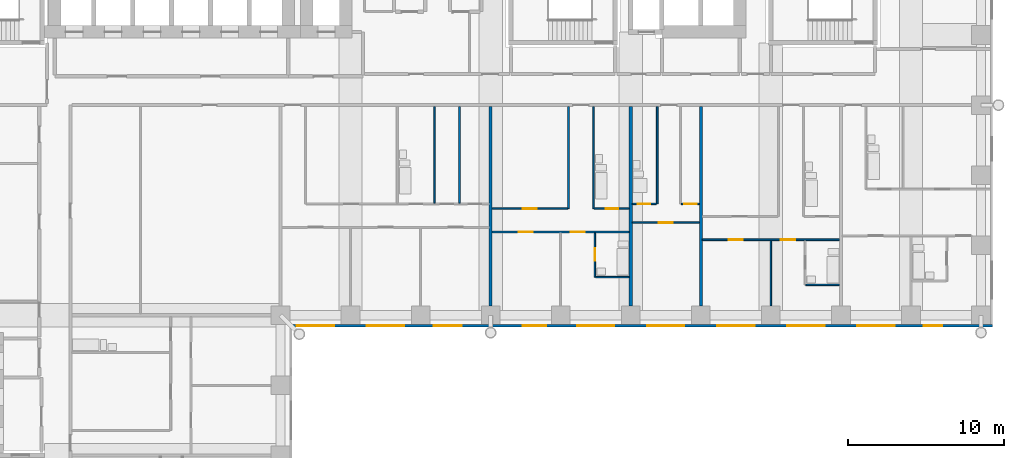
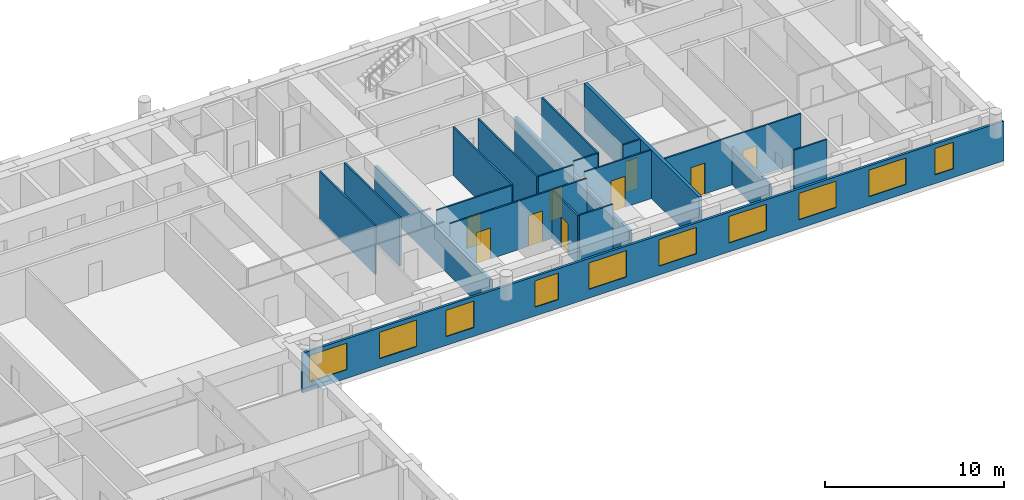
# One storey, part 8 of 14: 20 walls, 10 doors, 10 windows, 20 openings.
"""IFC4 building model written with IfcOpenShell, lengths in metres."""

from ifc_helpers import new_model, si_unit, direction, frame, frame_2d, origin, place, context, subcontext, project, spatial, rectangle, extrude, material, layer, layer_set, type_object, element, fill, save


model = new_model("IFC4")

# Units and contexts
model_context = context("Model", 3, precision=1e-05, world=origin(), true_north=direction((0.0, 1.0)))
body_context = subcontext(model_context, "Body", "Model", "MODEL_VIEW")
ifc_project = project(units=[si_unit("LENGTHUNIT", "METRE"), si_unit("AREAUNIT", "SQUARE_METRE"), si_unit("VOLUMEUNIT", "CUBIC_METRE"), si_unit("PLANEANGLEUNIT", "RADIAN"), si_unit("MASSUNIT", "GRAM", prefix="KILO")], contexts=[model_context])

# Site, building, storey
site_placement = place(None, origin())
site = spatial("IfcSite", under=ifc_project, at=site_placement, CompositionType="ELEMENT")
building_placement = place(site_placement, origin())
building = spatial("IfcBuilding", under=site, at=building_placement, Name="Firuza Court", CompositionType="ELEMENT")
storey_placement = place(building_placement, frame((0.0, 0.0, 68.60009765625)))
storey = spatial("IfcBuildingStorey", under=building, at=storey_placement, Name="L16", CompositionType="ELEMENT", Elevation=68.60009765625)

# Wall
ifc_material_1 = material(Name="Moisture-resistant gypsum board partition")
ifc_layer_1 = layer(ifc_material_1, 0.10009765625)
ifc_layer_set_1 = layer_set([ifc_layer_1], Name="Moisture-resistant gypsum board partition")
wall_type_1 = type_object("IfcWallType", Name="Bathroom partition 100", PredefinedType="PLUMBINGWALL", material=ifc_layer_set_1)
wall_1_placement = place(storey_placement, frame((56.25, 37.949951171875, 0.0), z_axis=(0.0, 0.0, 1.0), x_axis=(1.0, 0.0, 0.0)))
element("IfcWall", 1, at=wall_1_placement, inside=storey, type_object=wall_type_1, Name="Bathroom partition 100 L16", PredefinedType="PLUMBINGWALL", context=body_context, shape_type="SweptSolid", body=[
    extrude(rectangle(XDim=2.14990234375, YDim=0.10009765625, at=frame_2d((1.074951171875, 0.0))), origin(), (0.0, 0.0, 1.0), 3.2998046875),
])

# Wall, opening, door
wall_2_placement = place(storey_placement, frame((42.699951171875, 38.449951171875, 0.0), z_axis=(0.0, 0.0, 1.0), x_axis=(0.0, 1.0, 0.0)))
wall_2 = element("IfcWall", 2, at=wall_2_placement, inside=storey, type_object=wall_type_1, Name="Bathroom partition 100 L16", PredefinedType="PLUMBINGWALL", context=body_context, shape_type="SweptSolid", body=[
    extrude(rectangle(XDim=2.85009765625, YDim=0.10009765625, at=frame_2d((1.425048828125, 0.0))), origin(), (0.0, 0.0, 1.0), 3.2998046875),
])
opening_1_placement = place(wall_2_placement, frame((1.050048828125, 0.0, 0.0)))
opening_1 = element("IfcOpeningElement", 3, at=opening_1_placement, cuts=wall_2, Name="Opening D16046", PredefinedType="OPENING", context=body_context, shape_type="SweptSolid", body=[
    extrude(rectangle(XDim=0.800048828125, YDim=2.10009765625, at=frame_2d((0.39990234375, 1.050048828125))), frame((0.0, 0.06201171875, 0.0), z_axis=(0.0, -1.0, 0.0), x_axis=(1.0, 0.0, 0.0)), (0.0, 0.0, 1.0), 0.1240234375),
])
ifc_material_2 = material(Name="Timber door leaf in hardwood frame", Category="wood")
door_type_1 = type_object("IfcDoorType", Name="Bathroom door 800", OperationType="SINGLE_SWING_LEFT", PredefinedType="DOOR", material=ifc_material_2)
door_1_placement = place(opening_1_placement, frame((0.800048828125, 0.0, 0.0), z_axis=(0.0, 0.0, 1.0), x_axis=(-1.0, 0.0, 0.0)))
door_1 = element("IfcDoor", 4, at=door_1_placement, inside=storey, type_object=door_type_1, Name="En-suite door", OperationType="SINGLE_SWING_RIGHT", OverallHeight=2.10009765625, OverallWidth=0.800048828125, PredefinedType="DOOR", context=body_context, shape_type="SweptSolid", body=[
    extrude(rectangle(XDim=0.800048828125, YDim=2.10009765625, at=frame_2d((0.39990234375, 1.050048828125))), frame((0.0, 0.02490234375, 0.0), z_axis=(0.0, -1.0, 0.0), x_axis=(1.0, 0.0, 0.0)), (0.0, 0.0, 1.0), 0.050048828125),
])
fill(opening_1, door_1)

# Walls
wall_3_placement = place(storey_placement, frame((42.75, 38.449951171875, 0.0), z_axis=(0.0, 0.0, 1.0), x_axis=(1.0, 0.0, 0.0)))
element("IfcWall", 5, at=wall_3_placement, inside=storey, type_object=wall_type_1, Name="Bathroom partition 100 L16", PredefinedType="PLUMBINGWALL", context=body_context, shape_type="SweptSolid", body=[
    extrude(rectangle(XDim=2.14990234375, YDim=0.10009765625, at=frame_2d((1.074951171875, 0.0))), origin(), (0.0, 0.0, 1.0), 3.2998046875),
])
wall_4_placement = place(storey_placement, frame((42.60009765625, 42.85009765625, 0.0), z_axis=(0.0, 0.0, 1.0), x_axis=(0.0, 1.0, 0.0)))
element("IfcWall", 6, at=wall_4_placement, inside=storey, type_object=wall_type_1, Name="Bathroom partition 100 L16", PredefinedType="PLUMBINGWALL", context=body_context, shape_type="SweptSolid", body=[
    extrude(rectangle(XDim=6.5498046875, YDim=0.10009765625, at=frame_2d((3.27490234375, 0.0))), origin(), (0.0, 0.0, 1.0), 3.2998046875),
])
wall_5_placement = place(storey_placement, frame((46.699951171875, 43.14990234375, 0.0), z_axis=(0.0, 0.0, 1.0), x_axis=(0.0, 1.0, 0.0)))
element("IfcWall", 7, at=wall_5_placement, inside=storey, type_object=wall_type_1, Name="Bathroom partition 100 L16", PredefinedType="PLUMBINGWALL", context=body_context, shape_type="SweptSolid", body=[
    extrude(rectangle(XDim=6.25, YDim=0.10009765625, at=frame_2d((3.125, 0.0))), origin(), (0.0, 0.0, 1.0), 3.2998046875),
])
wall_6_placement = place(storey_placement, frame((32.39990234375, 43.199951171875, 0.0), z_axis=(0.0, 0.0, 1.0), x_axis=(0.0, 1.0, 0.0)))
element("IfcWall", 8, at=wall_6_placement, inside=storey, type_object=wall_type_1, Name="Bathroom partition 100 L16", PredefinedType="PLUMBINGWALL", context=body_context, shape_type="SweptSolid", body=[
    extrude(rectangle(XDim=6.199951171875, YDim=0.10009765625, at=frame_2d((3.10009765625, 0.0))), origin(), (0.0, 0.0, 1.0), 3.2998046875),
])
ifc_material_3 = material(Name="Timber stud partition, plasterboard both sides", Category="wood")
ifc_layer_2 = layer(ifc_material_3, 0.10009765625)
ifc_layer_set_2 = layer_set([ifc_layer_2], Name="Timber stud partition, plasterboard both sides")
wall_type_2 = type_object("IfcWallType", Name="Partition wall 100", PredefinedType="PARTITIONING", material=ifc_layer_set_2)
wall_7_placement = place(storey_placement, frame((54.0, 36.60009765625, 0.0), z_axis=(0.0, 0.0, 1.0), x_axis=(0.0, 1.0, 0.0)))
element("IfcWall", 9, at=wall_7_placement, inside=storey, type_object=wall_type_2, Name="Partition wall 100 L16", PredefinedType="PARTITIONING", context=body_context, shape_type="SweptSolid", body=[
    extrude(rectangle(XDim=4.199951171875, YDim=0.10009765625, at=frame_2d((2.10009765625, 0.0))), origin(), (0.0, 0.0, 1.0), 2.599853515625),
])

# Wall, openings, doors
wall_8_placement = place(storey_placement, frame((49.60009765625, 40.85009765625, 0.0), z_axis=(0.0, 0.0, 1.0), x_axis=(1.0, 0.0, 0.0)))
wall_8 = element("IfcWall", 10, at=wall_8_placement, inside=storey, type_object=wall_type_2, Name="Partition wall 100 L16", PredefinedType="PARTITIONING", context=body_context, shape_type="SweptSolid", body=[
    extrude(rectangle(XDim=8.7998046875, YDim=0.10009765625, at=frame_2d((4.39990234375, 0.0))), origin(), (0.0, 0.0, 1.0), 3.2998046875),
])
opening_2_placement = place(wall_8_placement, frame((1.699951171875, 0.0, 0.0)))
opening_2 = element("IfcOpeningElement", 11, at=opening_2_placement, cuts=wall_8, Name="Opening D16047", PredefinedType="OPENING", context=body_context, shape_type="SweptSolid", body=[
    extrude(rectangle(XDim=0.89990234375, YDim=2.10009765625, at=frame_2d((0.449951171875, 1.050048828125))), frame((0.0, 0.06201171875, 0.0), z_axis=(0.0, -1.0, 0.0), x_axis=(1.0, 0.0, 0.0)), (0.0, 0.0, 1.0), 0.1240234375),
])
opening_3_placement = place(wall_8_placement, frame((5.050048828125, 0.0, 0.0)))
opening_3 = element("IfcOpeningElement", 12, at=opening_3_placement, cuts=wall_8, Name="Opening D16048", PredefinedType="OPENING", context=body_context, shape_type="SweptSolid", body=[
    extrude(rectangle(XDim=0.89990234375, YDim=2.10009765625, at=frame_2d((0.449951171875, 1.050048828125))), frame((0.0, 0.06201171875, 0.0), z_axis=(0.0, -1.0, 0.0), x_axis=(1.0, 0.0, 0.0)), (0.0, 0.0, 1.0), 0.1240234375),
])
ifc_material_4 = material(Name="Timber door leaf in hardwood frame", Category="wood")
door_type_2 = type_object("IfcDoorType", Name="Room door 900", OperationType="SINGLE_SWING_LEFT", PredefinedType="DOOR", material=ifc_material_4)
door_2_placement = place(opening_2_placement, frame((0.89990234375, 0.0, 0.0), z_axis=(0.0, 0.0, 1.0), x_axis=(-1.0, 0.0, 0.0)))
door_2 = element("IfcDoor", 13, at=door_2_placement, inside=storey, type_object=door_type_2, Name="Living room door", OperationType="SINGLE_SWING_RIGHT", OverallHeight=2.10009765625, OverallWidth=0.89990234375, PredefinedType="DOOR", context=body_context, shape_type="SweptSolid", body=[
    extrude(rectangle(XDim=0.89990234375, YDim=2.10009765625, at=frame_2d((0.449951171875, 1.050048828125))), frame((0.0, 0.02490234375, 0.0), z_axis=(0.0, -1.0, 0.0), x_axis=(1.0, 0.0, 0.0)), (0.0, 0.0, 1.0), 0.050048828125),
])
fill(opening_2, door_2)
door_3_placement = place(opening_3_placement, frame((0.89990234375, 0.0, 0.0), z_axis=(0.0, 0.0, 1.0), x_axis=(-1.0, 0.0, 0.0)))
door_3 = element("IfcDoor", 14, at=door_3_placement, inside=storey, type_object=door_type_2, Name="Bedroom door", OperationType="SINGLE_SWING_RIGHT", OverallHeight=2.10009765625, OverallWidth=0.89990234375, PredefinedType="DOOR", context=body_context, shape_type="SweptSolid", body=[
    extrude(rectangle(XDim=0.89990234375, YDim=2.10009765625, at=frame_2d((0.449951171875, 1.050048828125))), frame((0.0, 0.02490234375, 0.0), z_axis=(0.0, -1.0, 0.0), x_axis=(1.0, 0.0, 0.0)), (0.0, 0.0, 1.0), 0.050048828125),
])
fill(opening_3, door_3)

wall_9_placement = place(storey_placement, frame((36.10009765625, 41.35009765625, 0.0), z_axis=(0.0, 0.0, 1.0), x_axis=(1.0, 0.0, 0.0)))
wall_9 = element("IfcWall", 15, at=wall_9_placement, inside=storey, type_object=wall_type_2, Name="Partition wall 100 L16", PredefinedType="PARTITIONING", context=body_context, shape_type="SweptSolid", body=[
    extrude(rectangle(XDim=8.7998046875, YDim=0.10009765625, at=frame_2d((4.39990234375, 0.0))), origin(), (0.0, 0.0, 1.0), 3.2998046875),
])
opening_4_placement = place(wall_9_placement, frame((1.699951171875, 0.0, 0.0)))
opening_4 = element("IfcOpeningElement", 16, at=opening_4_placement, cuts=wall_9, Name="Opening D16051", PredefinedType="OPENING", context=body_context, shape_type="SweptSolid", body=[
    extrude(rectangle(XDim=0.89990234375, YDim=2.10009765625, at=frame_2d((0.449951171875, 1.050048828125))), frame((0.0, 0.06201171875, 0.0), z_axis=(0.0, -1.0, 0.0), x_axis=(1.0, 0.0, 0.0)), (0.0, 0.0, 1.0), 0.1240234375),
])
opening_5_placement = place(wall_9_placement, frame((5.050048828125, 0.0, 0.0)))
opening_5 = element("IfcOpeningElement", 17, at=opening_5_placement, cuts=wall_9, Name="Opening D16052", PredefinedType="OPENING", context=body_context, shape_type="SweptSolid", body=[
    extrude(rectangle(XDim=0.89990234375, YDim=2.10009765625, at=frame_2d((0.449951171875, 1.050048828125))), frame((0.0, 0.06201171875, 0.0), z_axis=(0.0, -1.0, 0.0), x_axis=(1.0, 0.0, 0.0)), (0.0, 0.0, 1.0), 0.1240234375),
])
door_4_placement = place(opening_4_placement, frame((0.89990234375, 0.0, 0.0), z_axis=(0.0, 0.0, 1.0), x_axis=(-1.0, 0.0, 0.0)))
door_4 = element("IfcDoor", 18, at=door_4_placement, inside=storey, type_object=door_type_2, Name="Living room door", OperationType="SINGLE_SWING_RIGHT", OverallHeight=2.10009765625, OverallWidth=0.89990234375, PredefinedType="DOOR", context=body_context, shape_type="SweptSolid", body=[
    extrude(rectangle(XDim=0.89990234375, YDim=2.10009765625, at=frame_2d((0.449951171875, 1.050048828125))), frame((0.0, 0.02490234375, 0.0), z_axis=(0.0, -1.0, 0.0), x_axis=(1.0, 0.0, 0.0)), (0.0, 0.0, 1.0), 0.050048828125),
])
fill(opening_4, door_4)
door_5_placement = place(opening_5_placement, frame((0.89990234375, 0.0, 0.0), z_axis=(0.0, 0.0, 1.0), x_axis=(-1.0, 0.0, 0.0)))
door_5 = element("IfcDoor", 19, at=door_5_placement, inside=storey, type_object=door_type_2, Name="Bedroom door", OperationType="SINGLE_SWING_RIGHT", OverallHeight=2.10009765625, OverallWidth=0.89990234375, PredefinedType="DOOR", context=body_context, shape_type="SweptSolid", body=[
    extrude(rectangle(XDim=0.89990234375, YDim=2.10009765625, at=frame_2d((0.449951171875, 1.050048828125))), frame((0.0, 0.02490234375, 0.0), z_axis=(0.0, -1.0, 0.0), x_axis=(1.0, 0.0, 0.0)), (0.0, 0.0, 1.0), 0.050048828125),
])
fill(opening_5, door_5)

# Wall, opening, door
wall_10_placement = place(storey_placement, frame((45.10009765625, 41.949951171875, 0.0), z_axis=(0.0, 0.0, 1.0), x_axis=(1.0, 0.0, 0.0)))
wall_10 = element("IfcWall", 20, at=wall_10_placement, inside=storey, type_object=wall_type_2, Name="Partition wall 100 L16", PredefinedType="PARTITIONING", context=body_context, shape_type="SweptSolid", body=[
    extrude(rectangle(XDim=4.2998046875, YDim=0.10009765625, at=frame_2d((2.14990234375, 0.0))), origin(), (0.0, 0.0, 1.0), 3.2998046875),
])
opening_6_placement = place(wall_10_placement, frame((1.699951171875, 0.0, 0.0)))
opening_6 = element("IfcOpeningElement", 21, at=opening_6_placement, cuts=wall_10, Name="Opening D16056", PredefinedType="OPENING", context=body_context, shape_type="SweptSolid", body=[
    extrude(rectangle(XDim=0.89990234375, YDim=2.10009765625, at=frame_2d((0.449951171875, 1.050048828125))), frame((0.0, 0.06201171875, 0.0), z_axis=(0.0, -1.0, 0.0), x_axis=(1.0, 0.0, 0.0)), (0.0, 0.0, 1.0), 0.1240234375),
])
door_6_placement = place(opening_6_placement, frame((0.89990234375, 0.0, 0.0), z_axis=(0.0, 0.0, 1.0), x_axis=(-1.0, 0.0, 0.0)))
door_6 = element("IfcDoor", 22, at=door_6_placement, inside=storey, type_object=door_type_2, Name="Studio room door", OperationType="SINGLE_SWING_RIGHT", OverallHeight=2.10009765625, OverallWidth=0.89990234375, PredefinedType="DOOR", context=body_context, shape_type="SweptSolid", body=[
    extrude(rectangle(XDim=0.89990234375, YDim=2.10009765625, at=frame_2d((0.449951171875, 1.050048828125))), frame((0.0, 0.02490234375, 0.0), z_axis=(0.0, -1.0, 0.0), x_axis=(1.0, 0.0, 0.0)), (0.0, 0.0, 1.0), 0.050048828125),
])
fill(opening_6, door_6)

wall_11_placement = place(storey_placement, frame((36.10009765625, 42.85009765625, 0.0), z_axis=(0.0, 0.0, 1.0), x_axis=(1.0, 0.0, 0.0)))
wall_11 = element("IfcWall", 23, at=wall_11_placement, inside=storey, type_object=wall_type_2, Name="Partition wall 100 L16", PredefinedType="PARTITIONING", context=body_context, shape_type="SweptSolid", body=[
    extrude(rectangle(XDim=4.849853515625, YDim=0.10009765625, at=frame_2d((2.4248046875, 0.0))), origin(), (0.0, 0.0, 1.0), 3.2998046875),
])
opening_7_placement = place(wall_11_placement, frame((1.949951171875, 0.0, 0.0)))
opening_7 = element("IfcOpeningElement", 24, at=opening_7_placement, cuts=wall_11, Name="Opening D16059", PredefinedType="OPENING", context=body_context, shape_type="SweptSolid", body=[
    extrude(rectangle(XDim=0.89990234375, YDim=2.10009765625, at=frame_2d((0.449951171875, 1.050048828125))), frame((0.0, 0.06201171875, 0.0), z_axis=(0.0, -1.0, 0.0), x_axis=(1.0, 0.0, 0.0)), (0.0, 0.0, 1.0), 0.1240234375),
])
door_7_placement = place(opening_7_placement, origin())
door_7 = element("IfcDoor", 25, at=door_7_placement, inside=storey, type_object=door_type_2, Name="Kitchen door", OperationType="SINGLE_SWING_LEFT", OverallHeight=2.10009765625, OverallWidth=0.89990234375, PredefinedType="DOOR", context=body_context, shape_type="SweptSolid", body=[
    extrude(rectangle(XDim=0.89990234375, YDim=2.10009765625, at=frame_2d((0.449951171875, 1.050048828125))), frame((0.0, 0.02490234375, 0.0), z_axis=(0.0, -1.0, 0.0), x_axis=(1.0, 0.0, 0.0)), (0.0, 0.0, 1.0), 0.050048828125),
])
fill(opening_7, door_7)

# Wall
wall_12_placement = place(storey_placement, frame((41.0, 42.85009765625, 0.0), z_axis=(0.0, 0.0, 1.0), x_axis=(0.0, 1.0, 0.0)))
element("IfcWall", 26, at=wall_12_placement, inside=storey, type_object=wall_type_2, Name="Partition wall 100 L16", PredefinedType="PARTITIONING", context=body_context, shape_type="SweptSolid", body=[
    extrude(rectangle(XDim=6.5498046875, YDim=0.10009765625, at=frame_2d((3.27490234375, 0.0))), origin(), (0.0, 0.0, 1.0), 3.2998046875),
])

# Wall, opening, door
wall_13_placement = place(storey_placement, frame((42.64990234375, 42.85009765625, 0.0), z_axis=(0.0, 0.0, 1.0), x_axis=(1.0, 0.0, 0.0)))
wall_13 = element("IfcWall", 27, at=wall_13_placement, inside=storey, type_object=wall_type_2, Name="Partition wall 100 L16", PredefinedType="PARTITIONING", context=body_context, shape_type="SweptSolid", body=[
    extrude(rectangle(XDim=2.25, YDim=0.10009765625, at=frame_2d((1.125, 0.0))), origin(), (0.0, 0.0, 1.0), 3.2998046875),
])
opening_8_placement = place(wall_13_placement, frame((0.75, 0.0, 0.0)))
opening_8 = element("IfcOpeningElement", 28, at=opening_8_placement, cuts=wall_13, Name="Opening D16060", PredefinedType="OPENING", context=body_context, shape_type="SweptSolid", body=[
    extrude(rectangle(XDim=0.800048828125, YDim=2.10009765625, at=frame_2d((0.39990234375, 1.050048828125))), frame((0.0, 0.06201171875, 0.0), z_axis=(0.0, -1.0, 0.0), x_axis=(1.0, 0.0, 0.0)), (0.0, 0.0, 1.0), 0.1240234375),
])
door_8_placement = place(opening_8_placement, origin())
door_8 = element("IfcDoor", 29, at=door_8_placement, inside=storey, type_object=door_type_1, Name="Bathroom door", OperationType="SINGLE_SWING_LEFT", OverallHeight=2.10009765625, OverallWidth=0.800048828125, PredefinedType="DOOR", context=body_context, shape_type="SweptSolid", body=[
    extrude(rectangle(XDim=0.800048828125, YDim=2.10009765625, at=frame_2d((0.39990234375, 1.050048828125))), frame((0.0, 0.02490234375, 0.0), z_axis=(0.0, -1.0, 0.0), x_axis=(1.0, 0.0, 0.0)), (0.0, 0.0, 1.0), 0.050048828125),
])
fill(opening_8, door_8)

wall_14_placement = place(storey_placement, frame((45.10009765625, 43.14990234375, 0.0), z_axis=(0.0, 0.0, 1.0), x_axis=(1.0, 0.0, 0.0)))
wall_14 = element("IfcWall", 30, at=wall_14_placement, inside=storey, type_object=wall_type_2, Name="Partition wall 100 L16", PredefinedType="PARTITIONING", context=body_context, shape_type="SweptSolid", body=[
    extrude(rectangle(XDim=1.5498046875, YDim=0.10009765625, at=frame_2d((0.77490234375, 0.0))), origin(), (0.0, 0.0, 1.0), 3.2998046875),
])
opening_9_placement = place(wall_14_placement, frame((0.35009765625, 0.0, 0.0)))
opening_9 = element("IfcOpeningElement", 31, at=opening_9_placement, cuts=wall_14, Name="Opening D16065", PredefinedType="OPENING", context=body_context, shape_type="SweptSolid", body=[
    extrude(rectangle(XDim=0.800048828125, YDim=2.10009765625, at=frame_2d((0.39990234375, 1.050048828125))), frame((0.0, 0.06201171875, 0.0), z_axis=(0.0, -1.0, 0.0), x_axis=(1.0, 0.0, 0.0)), (0.0, 0.0, 1.0), 0.1240234375),
])
door_9_placement = place(opening_9_placement, origin())
door_9 = element("IfcDoor", 32, at=door_9_placement, inside=storey, type_object=door_type_1, Name="Bathroom door", OperationType="SINGLE_SWING_LEFT", OverallHeight=2.10009765625, OverallWidth=0.800048828125, PredefinedType="DOOR", context=body_context, shape_type="SweptSolid", body=[
    extrude(rectangle(XDim=0.800048828125, YDim=2.10009765625, at=frame_2d((0.39990234375, 1.050048828125))), frame((0.0, 0.02490234375, 0.0), z_axis=(0.0, -1.0, 0.0), x_axis=(1.0, 0.0, 0.0)), (0.0, 0.0, 1.0), 0.050048828125),
])
fill(opening_9, door_9)

wall_15_placement = place(storey_placement, frame((48.25, 43.14990234375, 0.0), z_axis=(0.0, 0.0, 1.0), x_axis=(1.0, 0.0, 0.0)))
wall_15 = element("IfcWall", 33, at=wall_15_placement, inside=storey, type_object=wall_type_2, Name="Partition wall 100 L16", PredefinedType="PARTITIONING", context=body_context, shape_type="SweptSolid", body=[
    extrude(rectangle(XDim=1.14990234375, YDim=0.10009765625, at=frame_2d((0.574951171875, 0.0))), origin(), (0.0, 0.0, 1.0), 3.2998046875),
])
opening_10_placement = place(wall_15_placement, frame((0.199951171875, 0.0, 0.0)))
opening_10 = element("IfcOpeningElement", 34, at=opening_10_placement, cuts=wall_15, Name="Opening D16066", PredefinedType="OPENING", context=body_context, shape_type="SweptSolid", body=[
    extrude(rectangle(XDim=0.800048828125, YDim=2.10009765625, at=frame_2d((0.39990234375, 1.050048828125))), frame((0.0, 0.06201171875, 0.0), z_axis=(0.0, -1.0, 0.0), x_axis=(1.0, 0.0, 0.0)), (0.0, 0.0, 1.0), 0.1240234375),
])
ifc_material_5 = material(Name="Timber door leaf in hardwood frame", Category="wood")
door_type_3 = type_object("IfcDoorType", Name="Room door 800", OperationType="SINGLE_SWING_LEFT", PredefinedType="DOOR", material=ifc_material_5)
door_10_placement = place(opening_10_placement, origin())
door_10 = element("IfcDoor", 35, at=door_10_placement, inside=storey, type_object=door_type_3, Name="Kitchen door", OperationType="SINGLE_SWING_LEFT", OverallHeight=2.10009765625, OverallWidth=0.800048828125, PredefinedType="DOOR", context=body_context, shape_type="SweptSolid", body=[
    extrude(rectangle(XDim=0.800048828125, YDim=2.10009765625, at=frame_2d((0.39990234375, 1.050048828125))), frame((0.0, 0.02490234375, 0.0), z_axis=(0.0, -1.0, 0.0), x_axis=(1.0, 0.0, 0.0)), (0.0, 0.0, 1.0), 0.050048828125),
])
fill(opening_10, door_10)

# Walls
wall_16_placement = place(storey_placement, frame((34.0, 43.199951171875, 0.0), z_axis=(0.0, 0.0, 1.0), x_axis=(0.0, 1.0, 0.0)))
element("IfcWall", 36, at=wall_16_placement, inside=storey, type_object=wall_type_2, Name="Partition wall 100 L16", PredefinedType="PARTITIONING", context=body_context, shape_type="SweptSolid", body=[
    extrude(rectangle(XDim=6.199951171875, YDim=0.10009765625, at=frame_2d((3.10009765625, 0.0))), origin(), (0.0, 0.0, 1.0), 3.2998046875),
])
ifc_material_6 = material(Name="Blockwork, plastered both sides", Category="masonry")
ifc_layer_3 = layer(ifc_material_6, 0.199951171875)
ifc_layer_set_3 = layer_set([ifc_layer_3], Name="Blockwork, plastered both sides")
wall_type_3 = type_object("IfcWallType", Name="Party wall 200", PredefinedType="PARTITIONING", material=ifc_layer_set_3)
wall_17_placement = place(storey_placement, frame((36.0, 36.60009765625, 0.0), z_axis=(0.0, 0.0, 1.0), x_axis=(0.0, 1.0, 0.0)))
element("IfcWall", 37, at=wall_17_placement, inside=storey, type_object=wall_type_3, Name="Party wall 200 L16", PredefinedType="PARTITIONING", context=body_context, shape_type="SweptSolid", body=[
    extrude(rectangle(XDim=12.7998046875, YDim=0.199951171875, at=frame_2d((6.39990234375, 0.0))), origin(), (0.0, 0.0, 1.0), 2.39990234375),
])
wall_18_placement = place(storey_placement, frame((45.0, 36.60009765625, 0.0), z_axis=(0.0, 0.0, 1.0), x_axis=(0.0, 1.0, 0.0)))
element("IfcWall", 38, at=wall_18_placement, inside=storey, type_object=wall_type_3, Name="Party wall 200 L16", PredefinedType="PARTITIONING", context=body_context, shape_type="SweptSolid", body=[
    extrude(rectangle(XDim=12.7998046875, YDim=0.199951171875, at=frame_2d((6.39990234375, 0.0))), origin(), (0.0, 0.0, 1.0), 2.599853515625),
])
wall_19_placement = place(storey_placement, frame((49.5, 36.60009765625, 0.0), z_axis=(0.0, 0.0, 1.0), x_axis=(0.0, 1.0, 0.0)))
element("IfcWall", 39, at=wall_19_placement, inside=storey, type_object=wall_type_3, Name="Party wall 200 L16", PredefinedType="PARTITIONING", context=body_context, shape_type="SweptSolid", body=[
    extrude(rectangle(XDim=12.7998046875, YDim=0.199951171875, at=frame_2d((6.39990234375, 0.0))), origin(), (0.0, 0.0, 1.0), 3.2998046875),
])

# Wall, openings, windows
ifc_material_7 = material(Name="Ceramic tile", Category="ceramic")
ifc_layer_4 = layer(ifc_material_7, 0.02001953125)
ifc_material_8 = material(Name="Mineral wool insulation", Category="insulation")
ifc_layer_5 = layer(ifc_material_8, 0.050048828125)
ifc_material_9 = material(Name="Concrete C40/50 precast", Category="concrete")
ifc_layer_6 = layer(ifc_material_9, 0.080078125)
ifc_layer_set_4 = layer_set([ifc_layer_4, ifc_layer_5, ifc_layer_6], Name="Concrete C40/50 precast")
wall_type_4 = type_object("IfcWallType", Name="Precast cladding wall with turquoise TILE PANEL face 150", PredefinedType="STANDARD", material=ifc_layer_set_4)
wall_20_placement = place(storey_placement, frame((23.10009765625, 35.324951171875, 0.0), z_axis=(0.0, 0.0, 1.0), x_axis=(1.0, 0.0, 0.0)))
wall_20 = element("IfcWall", 40, at=wall_20_placement, inside=storey, type_object=wall_type_4, Name="Facade wall L16 S", PredefinedType="STANDARD", context=body_context, shape_type="SweptSolid", body=[
    extrude(rectangle(XDim=45.14990234375, YDim=0.14990234375, at=frame_2d((22.574951171875, 0.0))), origin(), (0.0, 0.0, 1.0), 2.699951171875),
])
opening_11_placement = place(wall_20_placement, frame((0.449951171875, 0.0, 0.60009765625)))
opening_11 = element("IfcOpeningElement", 41, at=opening_11_placement, cuts=wall_20, Name="Opening W1", PredefinedType="OPENING", context=body_context, shape_type="SweptSolid", body=[
    extrude(rectangle(XDim=2.39990234375, YDim=1.800048828125, at=frame_2d((1.199951171875, 0.89990234375))), frame((0.0, 0.0869140625, 0.0), z_axis=(0.0, -1.0, 0.0), x_axis=(1.0, 0.0, 0.0)), (0.0, 0.0, 1.0), 0.173828125),
])
opening_12_placement = place(wall_20_placement, frame((4.949951171875, 0.0, 0.60009765625)))
opening_12 = element("IfcOpeningElement", 42, at=opening_12_placement, cuts=wall_20, Name="Opening W1", PredefinedType="OPENING", context=body_context, shape_type="SweptSolid", body=[
    extrude(rectangle(XDim=2.39990234375, YDim=1.800048828125, at=frame_2d((1.199951171875, 0.89990234375))), frame((0.0, 0.0869140625, 0.0), z_axis=(0.0, -1.0, 0.0), x_axis=(1.0, 0.0, 0.0)), (0.0, 0.0, 1.0), 0.173828125),
])
opening_13_placement = place(wall_20_placement, frame((9.243408203125, 0.0, 0.60009765625)))
opening_13 = element("IfcOpeningElement", 43, at=opening_13_placement, cuts=wall_20, Name="Opening W7", PredefinedType="OPENING", context=body_context, shape_type="SweptSolid", body=[
    extrude(rectangle(XDim=1.800048828125, YDim=1.800048828125, at=frame_2d((0.89990234375, 0.89990234375))), frame((0.0, 0.0869140625, 0.0), z_axis=(0.0, -1.0, 0.0), x_axis=(1.0, 0.0, 0.0)), (0.0, 0.0, 1.0), 0.173828125),
])
opening_14_placement = place(wall_20_placement, frame((14.970458984375, 0.0, 0.60009765625)))
opening_14 = element("IfcOpeningElement", 44, at=opening_14_placement, cuts=wall_20, Name="Opening W2", PredefinedType="OPENING", context=body_context, shape_type="SweptSolid", body=[
    extrude(rectangle(XDim=1.5, YDim=1.800048828125, at=frame_2d((0.75, 0.89990234375))), frame((0.0, 0.0869140625, 0.0), z_axis=(0.0, -1.0, 0.0), x_axis=(1.0, 0.0, 0.0)), (0.0, 0.0, 1.0), 0.173828125),
])
opening_15_placement = place(wall_20_placement, frame((18.449951171875, 0.0, 0.60009765625)))
opening_15 = element("IfcOpeningElement", 45, at=opening_15_placement, cuts=wall_20, Name="Opening W1", PredefinedType="OPENING", context=body_context, shape_type="SweptSolid", body=[
    extrude(rectangle(XDim=2.39990234375, YDim=1.800048828125, at=frame_2d((1.199951171875, 0.89990234375))), frame((0.0, 0.0869140625, 0.0), z_axis=(0.0, -1.0, 0.0), x_axis=(1.0, 0.0, 0.0)), (0.0, 0.0, 1.0), 0.173828125),
])
opening_16_placement = place(wall_20_placement, frame((22.949951171875, 0.0, 0.60009765625)))
opening_16 = element("IfcOpeningElement", 46, at=opening_16_placement, cuts=wall_20, Name="Opening W1", PredefinedType="OPENING", context=body_context, shape_type="SweptSolid", body=[
    extrude(rectangle(XDim=2.39990234375, YDim=1.800048828125, at=frame_2d((1.199951171875, 0.89990234375))), frame((0.0, 0.0869140625, 0.0), z_axis=(0.0, -1.0, 0.0), x_axis=(1.0, 0.0, 0.0)), (0.0, 0.0, 1.0), 0.173828125),
])
opening_17_placement = place(wall_20_placement, frame((27.449951171875, 0.0, 0.60009765625)))
opening_17 = element("IfcOpeningElement", 47, at=opening_17_placement, cuts=wall_20, Name="Opening W1", PredefinedType="OPENING", context=body_context, shape_type="SweptSolid", body=[
    extrude(rectangle(XDim=2.39990234375, YDim=1.800048828125, at=frame_2d((1.199951171875, 0.89990234375))), frame((0.0, 0.0869140625, 0.0), z_axis=(0.0, -1.0, 0.0), x_axis=(1.0, 0.0, 0.0)), (0.0, 0.0, 1.0), 0.173828125),
])
opening_18_placement = place(wall_20_placement, frame((31.949951171875, 0.0, 0.60009765625)))
opening_18 = element("IfcOpeningElement", 48, at=opening_18_placement, cuts=wall_20, Name="Opening W1", PredefinedType="OPENING", context=body_context, shape_type="SweptSolid", body=[
    extrude(rectangle(XDim=2.39990234375, YDim=1.800048828125, at=frame_2d((1.199951171875, 0.89990234375))), frame((0.0, 0.0869140625, 0.0), z_axis=(0.0, -1.0, 0.0), x_axis=(1.0, 0.0, 0.0)), (0.0, 0.0, 1.0), 0.173828125),
])
opening_19_placement = place(wall_20_placement, frame((36.449951171875, 0.0, 0.60009765625)))
opening_19 = element("IfcOpeningElement", 49, at=opening_19_placement, cuts=wall_20, Name="Opening W1", PredefinedType="OPENING", context=body_context, shape_type="SweptSolid", body=[
    extrude(rectangle(XDim=2.39990234375, YDim=1.800048828125, at=frame_2d((1.199951171875, 0.89990234375))), frame((0.0, 0.0869140625, 0.0), z_axis=(0.0, -1.0, 0.0), x_axis=(1.0, 0.0, 0.0)), (0.0, 0.0, 1.0), 0.173828125),
])
opening_20_placement = place(wall_20_placement, frame((40.705810546875, 0.0, 0.60009765625)))
opening_20 = element("IfcOpeningElement", 50, at=opening_20_placement, cuts=wall_20, Name="Opening W8", PredefinedType="OPENING", context=body_context, shape_type="SweptSolid", body=[
    extrude(rectangle(XDim=1.199951171875, YDim=1.800048828125, at=frame_2d((0.60009765625, 0.89990234375))), frame((0.0, 0.0869140625, 0.0), z_axis=(0.0, -1.0, 0.0), x_axis=(1.0, 0.0, 0.0)), (0.0, 0.0, 1.0), 0.173828125),
])
ifc_material_10 = material(Name="Aluminium frame, triple clear glazing", Category="aluminium")
window_type_1 = type_object("IfcWindowType", Name="Window W1 2400 x 1800", PartitioningType="SINGLE_PANEL", PredefinedType="WINDOW", material=ifc_material_10)
window_1_placement = place(opening_11_placement, origin())
window_1 = element("IfcWindow", 51, at=window_1_placement, inside=storey, type_object=window_type_1, Name="Window L16", OverallHeight=1.800048828125, OverallWidth=2.39990234375, PartitioningType="SINGLE_PANEL", PredefinedType="WINDOW", context=body_context, shape_type="SweptSolid", body=[
    extrude(rectangle(XDim=2.39990234375, YDim=1.800048828125, at=frame_2d((1.199951171875, 0.89990234375))), frame((0.0, 0.030029296875, 0.0), z_axis=(0.0, -1.0, 0.0), x_axis=(1.0, 0.0, 0.0)), (0.0, 0.0, 1.0), 0.06005859375),
])
fill(opening_11, window_1)
window_2_placement = place(opening_12_placement, origin())
window_2 = element("IfcWindow", 52, at=window_2_placement, inside=storey, type_object=window_type_1, Name="Window L16", OverallHeight=1.800048828125, OverallWidth=2.39990234375, PartitioningType="SINGLE_PANEL", PredefinedType="WINDOW", context=body_context, shape_type="SweptSolid", body=[
    extrude(rectangle(XDim=2.39990234375, YDim=1.800048828125, at=frame_2d((1.199951171875, 0.89990234375))), frame((0.0, 0.030029296875, 0.0), z_axis=(0.0, -1.0, 0.0), x_axis=(1.0, 0.0, 0.0)), (0.0, 0.0, 1.0), 0.06005859375),
])
fill(opening_12, window_2)
window_3_placement = place(opening_15_placement, origin())
window_3 = element("IfcWindow", 53, at=window_3_placement, inside=storey, type_object=window_type_1, Name="Window L16", OverallHeight=1.800048828125, OverallWidth=2.39990234375, PartitioningType="SINGLE_PANEL", PredefinedType="WINDOW", context=body_context, shape_type="SweptSolid", body=[
    extrude(rectangle(XDim=2.39990234375, YDim=1.800048828125, at=frame_2d((1.199951171875, 0.89990234375))), frame((0.0, 0.030029296875, 0.0), z_axis=(0.0, -1.0, 0.0), x_axis=(1.0, 0.0, 0.0)), (0.0, 0.0, 1.0), 0.06005859375),
])
fill(opening_15, window_3)
window_4_placement = place(opening_16_placement, origin())
window_4 = element("IfcWindow", 54, at=window_4_placement, inside=storey, type_object=window_type_1, Name="Window L16", OverallHeight=1.800048828125, OverallWidth=2.39990234375, PartitioningType="SINGLE_PANEL", PredefinedType="WINDOW", context=body_context, shape_type="SweptSolid", body=[
    extrude(rectangle(XDim=2.39990234375, YDim=1.800048828125, at=frame_2d((1.199951171875, 0.89990234375))), frame((0.0, 0.030029296875, 0.0), z_axis=(0.0, -1.0, 0.0), x_axis=(1.0, 0.0, 0.0)), (0.0, 0.0, 1.0), 0.06005859375),
])
fill(opening_16, window_4)
window_5_placement = place(opening_17_placement, origin())
window_5 = element("IfcWindow", 55, at=window_5_placement, inside=storey, type_object=window_type_1, Name="Window L16", OverallHeight=1.800048828125, OverallWidth=2.39990234375, PartitioningType="SINGLE_PANEL", PredefinedType="WINDOW", context=body_context, shape_type="SweptSolid", body=[
    extrude(rectangle(XDim=2.39990234375, YDim=1.800048828125, at=frame_2d((1.199951171875, 0.89990234375))), frame((0.0, 0.030029296875, 0.0), z_axis=(0.0, -1.0, 0.0), x_axis=(1.0, 0.0, 0.0)), (0.0, 0.0, 1.0), 0.06005859375),
])
fill(opening_17, window_5)
window_6_placement = place(opening_18_placement, origin())
window_6 = element("IfcWindow", 56, at=window_6_placement, inside=storey, type_object=window_type_1, Name="Window L16", OverallHeight=1.800048828125, OverallWidth=2.39990234375, PartitioningType="SINGLE_PANEL", PredefinedType="WINDOW", context=body_context, shape_type="SweptSolid", body=[
    extrude(rectangle(XDim=2.39990234375, YDim=1.800048828125, at=frame_2d((1.199951171875, 0.89990234375))), frame((0.0, 0.030029296875, 0.0), z_axis=(0.0, -1.0, 0.0), x_axis=(1.0, 0.0, 0.0)), (0.0, 0.0, 1.0), 0.06005859375),
])
fill(opening_18, window_6)
window_7_placement = place(opening_19_placement, origin())
window_7 = element("IfcWindow", 57, at=window_7_placement, inside=storey, type_object=window_type_1, Name="Window L16", OverallHeight=1.800048828125, OverallWidth=2.39990234375, PartitioningType="SINGLE_PANEL", PredefinedType="WINDOW", context=body_context, shape_type="SweptSolid", body=[
    extrude(rectangle(XDim=2.39990234375, YDim=1.800048828125, at=frame_2d((1.199951171875, 0.89990234375))), frame((0.0, 0.030029296875, 0.0), z_axis=(0.0, -1.0, 0.0), x_axis=(1.0, 0.0, 0.0)), (0.0, 0.0, 1.0), 0.06005859375),
])
fill(opening_19, window_7)
ifc_material_11 = material(Name="Aluminium frame, triple clear glazing", Category="aluminium")
window_type_2 = type_object("IfcWindowType", Name="Window W2 1500 x 1800", PartitioningType="SINGLE_PANEL", PredefinedType="WINDOW", material=ifc_material_11)
window_8_placement = place(opening_14_placement, origin())
window_8 = element("IfcWindow", 58, at=window_8_placement, inside=storey, type_object=window_type_2, Name="Window L16", OverallHeight=1.800048828125, OverallWidth=1.5, PartitioningType="SINGLE_PANEL", PredefinedType="WINDOW", context=body_context, shape_type="SweptSolid", body=[
    extrude(rectangle(XDim=1.5, YDim=1.800048828125, at=frame_2d((0.75, 0.89990234375))), frame((0.0, 0.030029296875, 0.0), z_axis=(0.0, -1.0, 0.0), x_axis=(1.0, 0.0, 0.0)), (0.0, 0.0, 1.0), 0.06005859375),
])
fill(opening_14, window_8)
ifc_material_12 = material(Name="Aluminium frame, triple clear glazing", Category="aluminium")
window_type_3 = type_object("IfcWindowType", Name="Window W7 1800 x 1800", PartitioningType="SINGLE_PANEL", PredefinedType="WINDOW", material=ifc_material_12)
window_9_placement = place(opening_13_placement, origin())
window_9 = element("IfcWindow", 59, at=window_9_placement, inside=storey, type_object=window_type_3, Name="Window L16", OverallHeight=1.800048828125, OverallWidth=1.800048828125, PartitioningType="SINGLE_PANEL", PredefinedType="WINDOW", context=body_context, shape_type="SweptSolid", body=[
    extrude(rectangle(XDim=1.800048828125, YDim=1.800048828125, at=frame_2d((0.89990234375, 0.89990234375))), frame((0.0, 0.030029296875, 0.0), z_axis=(0.0, -1.0, 0.0), x_axis=(1.0, 0.0, 0.0)), (0.0, 0.0, 1.0), 0.06005859375),
])
fill(opening_13, window_9)
ifc_material_13 = material(Name="Aluminium frame, triple clear glazing", Category="aluminium")
window_type_4 = type_object("IfcWindowType", Name="Window W8 1200 x 1800", PartitioningType="SINGLE_PANEL", PredefinedType="WINDOW", material=ifc_material_13)
window_10_placement = place(opening_20_placement, origin())
window_10 = element("IfcWindow", 60, at=window_10_placement, inside=storey, type_object=window_type_4, Name="Window L16", OverallHeight=1.800048828125, OverallWidth=1.199951171875, PartitioningType="SINGLE_PANEL", PredefinedType="WINDOW", context=body_context, shape_type="SweptSolid", body=[
    extrude(rectangle(XDim=1.199951171875, YDim=1.800048828125, at=frame_2d((0.60009765625, 0.89990234375))), frame((0.0, 0.030029296875, 0.0), z_axis=(0.0, -1.0, 0.0), x_axis=(1.0, 0.0, 0.0)), (0.0, 0.0, 1.0), 0.06005859375),
])
fill(opening_20, window_10)

save(model, "model.ifc")
